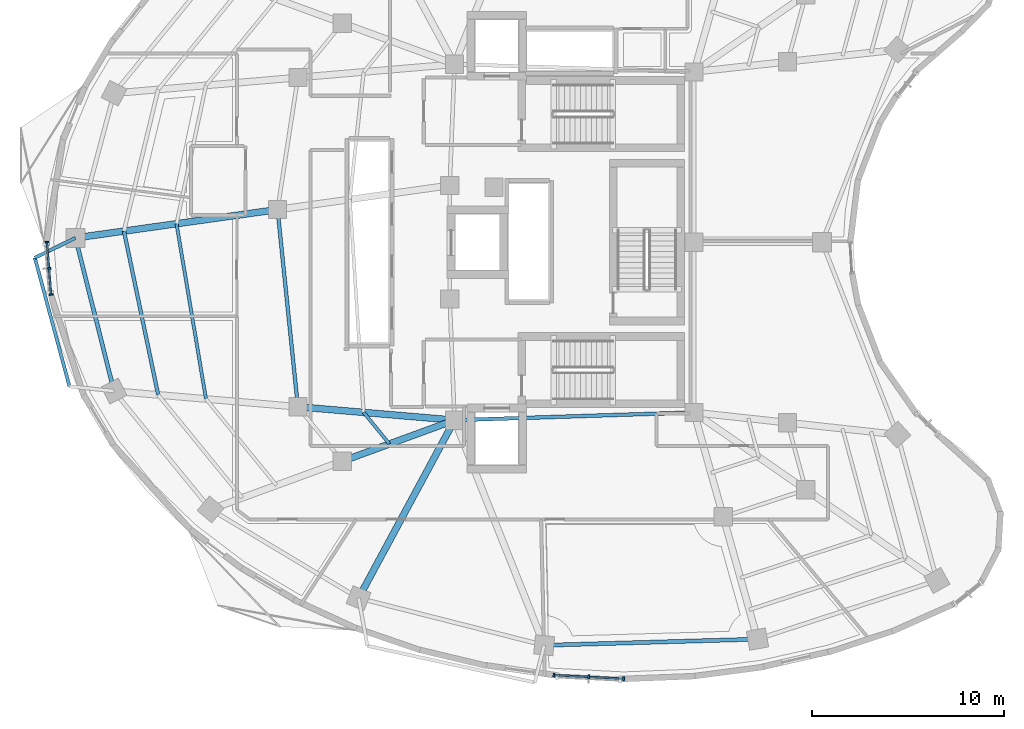
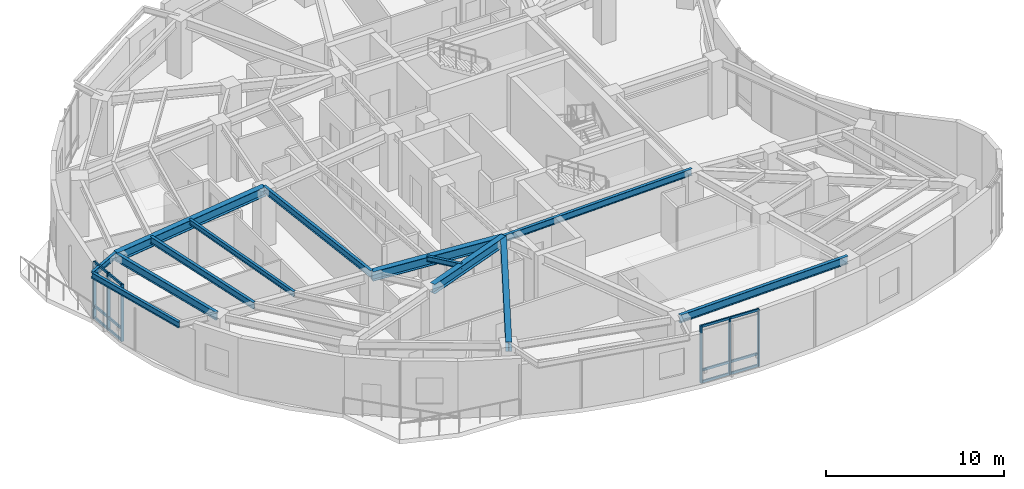
# One storey, part 2 of 15: 18 members, 13 beams, 2 elements without a shape of their own.
"""IFC4 building model written with IfcOpenShell, lengths in metres."""

from ifc_helpers import new_model, si_unit, direction, frame, origin, origin_2d, place, context, subcontext, project, spatial, rectangle, i_section, extrude, material, layer, layer_set, material_profile, profile_set, type_object, element, aggregate, save


model = new_model("IFC4")

# Units and contexts
model_context = context("Model", 3, precision=1e-05, world=origin(), true_north=direction((0.0, 1.0)))
body_context = subcontext(model_context, "Body", "Model", "MODEL_VIEW")
ifc_project = project(units=[si_unit("LENGTHUNIT", "METRE"), si_unit("AREAUNIT", "SQUARE_METRE"), si_unit("VOLUMEUNIT", "CUBIC_METRE"), si_unit("PLANEANGLEUNIT", "RADIAN"), si_unit("MASSUNIT", "GRAM", prefix="KILO")], contexts=[model_context])

# Site, building, storey
site_placement = place(None, origin())
site = spatial("IfcSite", under=ifc_project, at=site_placement, CompositionType="ELEMENT")
building_placement = place(site_placement, origin())
building = spatial("IfcBuilding", under=site, at=building_placement, Name="Korentha Bioscience Tower", CompositionType="ELEMENT")
storey_placement = place(building_placement, frame((0.0, 0.0, 222.60009765625)))
storey = spatial("IfcBuildingStorey", under=building, at=storey_placement, Name="L51", CompositionType="ELEMENT", Elevation=222.60009765625)

# Beams
ifc_material_1 = material(Name="Steel S355", Category="steel")
ifc_material_profile_1 = material_profile(ifc_material_1, i_section(OverallWidth=0.18994140625, OverallDepth=0.45703125, WebThickness=0.009033203125, FlangeThickness=0.014404296875, at=origin_2d()), Name="Steel S355")
ifc_profile_set_1 = profile_set([ifc_material_profile_1], Name="Steel S355 (MB-460)")
beam_type_1 = type_object("IfcBeamType", Name="Mid-Ring Tie Girder W460x74", PredefinedType="BEAM", material=ifc_profile_set_1)
beam_1_placement = place(storey_placement, frame((15.903076171875, 28.69482421875, 3.67138671875), z_axis=(0.102606546494, -0.994722019771, 0.0), x_axis=(0.994722019771, 0.102606546494, 0.0)))
element("IfcBeam", 1, at=beam_1_placement, inside=storey, type_object=beam_type_1, Name="L51 Mid-Ring Tie Girder 07", PredefinedType="BEAM", context=body_context, shape_type="SweptSolid", body=[
    extrude(i_section(OverallWidth=0.18994140625, OverallDepth=0.45703125, WebThickness=0.009033203125, FlangeThickness=0.014404296875, at=origin_2d()), origin(), (0.0, 0.0, 1.0), 10.30517578125),
])
beam_2_placement = place(storey_placement, frame((25.10009765625, 17.75, 3.67138671875), z_axis=(0.999484526071, 0.032104238723, 0.0), x_axis=(-0.032104238723, 0.999484526071, 0.0)))
element("IfcBeam", 2, at=beam_2_placement, inside=storey, type_object=beam_type_1, Name="L51 Core Ring Tie Girder 05", PredefinedType="BEAM", context=body_context, shape_type="SweptSolid", body=[
    extrude(i_section(OverallWidth=0.18994140625, OverallDepth=0.45703125, WebThickness=0.009033203125, FlangeThickness=0.014404296875, at=origin_2d()), origin(), (0.0, 0.0, 1.0), 12.456298828125),
])

# Curtain wall, members
ifc_material_2 = material(Name="Thermally Broken Aluminium Frame", Category="aluminium")
ifc_layer = layer(ifc_material_2, 0.219970703125, Name="Thermally Broken Aluminium Frame")
ifc_layer_set = layer_set([ifc_layer], Name="Thermally Broken Aluminium Frame (CW-T2)")
curtain_wall_type = type_object("IfcCurtainWallType", Name="Solar-Screened Lab Unitised Curtain Wall CW-T2", PredefinedType="USERDEFINED", material=ifc_layer_set)
curtain_wall_1_placement = place(storey_placement, origin())
curtain_wall_1 = element("IfcCurtainWall", 3, at=curtain_wall_1_placement, inside=storey, type_object=curtain_wall_type, Name="L51 Curtain Wall 19", ObjectType="UNITISED", PredefinedType="USERDEFINED")
ifc_material_3 = material(Name="Anodised Aluminium 6063-T6", Category="aluminium")
ifc_material_profile_2 = material_profile(ifc_material_3, rectangle(XDim=0.090087890625, YDim=0.199951171875, at=origin_2d()), Name="Anodised Aluminium 6063-T6")
ifc_profile_set_2 = profile_set([ifc_material_profile_2], Name="Anodised Aluminium 6063-T6 (CW-MUL)")
member_type_1 = type_object("IfcMemberType", Name="Mullion RECT 90x200", PredefinedType="MULLION", material=ifc_profile_set_2)
member_1_placement = place(storey_placement, frame((3.9169921875, 27.0078125, 0.0), z_axis=(0.0, 0.0, 1.0), x_axis=(0.07974803224, -0.996815053736, 0.0)))
member_1 = element("IfcMember", 4, at=member_1_placement, type_object=member_type_1, Name="CW-L51-19 Mullion 1", PredefinedType="MULLION", context=body_context, shape_type="SweptSolid", body=[
    extrude(rectangle(XDim=0.090087890625, YDim=0.199951171875, at=origin_2d()), origin(), (0.0, 0.0, 1.0), 3.89990234375),
])
member_2_placement = place(storey_placement, frame((4.026123046875, 25.642578125, 0.0), z_axis=(0.0, 0.0, 1.0), x_axis=(0.07974803224, -0.996815053736, 0.0)))
member_2 = element("IfcMember", 5, at=member_2_placement, type_object=member_type_1, Name="CW-L51-19 Mullion 2", PredefinedType="MULLION", context=body_context, shape_type="SweptSolid", body=[
    extrude(rectangle(XDim=0.090087890625, YDim=0.199951171875, at=origin_2d()), origin(), (0.0, 0.0, 1.0), 3.89990234375),
])
member_3_placement = place(storey_placement, frame((4.13525390625, 24.277587890625, 0.0), z_axis=(0.0, 0.0, 1.0), x_axis=(0.07974803224, -0.996815053736, 0.0)))
member_3 = element("IfcMember", 6, at=member_3_placement, type_object=member_type_1, Name="CW-L51-19 Mullion 3", PredefinedType="MULLION", context=body_context, shape_type="SweptSolid", body=[
    extrude(rectangle(XDim=0.090087890625, YDim=0.199951171875, at=origin_2d()), origin(), (0.0, 0.0, 1.0), 3.89990234375),
])

curtain_wall_2_placement = place(storey_placement, origin())
curtain_wall_2 = element("IfcCurtainWall", 7, at=curtain_wall_2_placement, inside=storey, type_object=curtain_wall_type, Name="L51 Curtain Wall 31", ObjectType="UNITISED", PredefinedType="USERDEFINED")
member_4_placement = place(storey_placement, frame((30.262939453125, 4.501708984375, 0.0), z_axis=(0.0, 0.0, 1.0), x_axis=(0.998695818107, -0.051055488397, 0.0)))
member_4 = element("IfcMember", 8, at=member_4_placement, type_object=member_type_1, Name="CW-L51-31 Mullion 1", PredefinedType="MULLION", context=body_context, shape_type="SweptSolid", body=[
    extrude(rectangle(XDim=0.090087890625, YDim=0.199951171875, at=origin_2d()), origin(), (0.0, 0.0, 1.0), 3.89990234375),
])
member_5_placement = place(storey_placement, frame((32.078125, 4.40869140625, 0.0), z_axis=(0.0, 0.0, 1.0), x_axis=(0.998695818107, -0.051055488397, 0.0)))
member_5 = element("IfcMember", 9, at=member_5_placement, type_object=member_type_1, Name="CW-L51-31 Mullion 2", PredefinedType="MULLION", context=body_context, shape_type="SweptSolid", body=[
    extrude(rectangle(XDim=0.090087890625, YDim=0.199951171875, at=origin_2d()), origin(), (0.0, 0.0, 1.0), 3.89990234375),
])
member_6_placement = place(storey_placement, frame((33.8935546875, 4.31591796875, 0.0), z_axis=(0.0, 0.0, 1.0), x_axis=(0.998695818107, -0.051055488397, 0.0)))
member_6 = element("IfcMember", 10, at=member_6_placement, type_object=member_type_1, Name="CW-L51-31 Mullion 3", PredefinedType="MULLION", context=body_context, shape_type="SweptSolid", body=[
    extrude(rectangle(XDim=0.090087890625, YDim=0.199951171875, at=origin_2d()), origin(), (0.0, 0.0, 1.0), 3.89990234375),
])

# Beams
ifc_material_profile_3 = material_profile(ifc_material_1, i_section(OverallWidth=0.208984375, OverallDepth=0.532958984375, WebThickness=0.01025390625, FlangeThickness=0.015625, at=origin_2d()), Name="Steel S355")
ifc_profile_set_3 = profile_set([ifc_material_profile_3], Name="Steel S355 (SB-530)")
beam_type_2 = type_object("IfcBeamType", Name="Perimeter Ring Spandrel Girder W530x92", PredefinedType="SPANDREL", material=ifc_profile_set_3)
beam_3_placement = place(storey_placement, frame((5.39990234375, 27.2216796875, 3.63330078125), z_axis=(0.244207174084, -0.969723082187, 0.0), x_axis=(0.969723082187, 0.244207174084, 0.0)))
element("IfcBeam", 11, at=beam_3_placement, inside=storey, type_object=beam_type_2, Name="L51 Perimeter Spandrel Girder 07", PredefinedType="SPANDREL", context=body_context, shape_type="SweptSolid", body=[
    extrude(i_section(OverallWidth=0.208984375, OverallDepth=0.532958984375, WebThickness=0.01025390625, FlangeThickness=0.015625, at=origin_2d()), origin(), (0.0, 0.0, 1.0), 8.211669921875),
])
beam_4_placement = place(storey_placement, frame((29.75927734375, 6.048828125, 3.63330078125), z_axis=(0.999586140554, 0.028767127286, 0.0), x_axis=(-0.028767127286, 0.999586140554, 0.0)))
element("IfcBeam", 12, at=beam_4_placement, inside=storey, type_object=beam_type_2, Name="L51 Perimeter Spandrel Girder 11", PredefinedType="SPANDREL", context=body_context, shape_type="SweptSolid", body=[
    extrude(i_section(OverallWidth=0.208984375, OverallDepth=0.532958984375, WebThickness=0.01025390625, FlangeThickness=0.015625, at=origin_2d()), origin(), (0.0, 0.0, 1.0), 11.09228515625),
])
ifc_material_profile_4 = material_profile(ifc_material_1, i_section(OverallWidth=0.18994140625, OverallDepth=0.45703125, WebThickness=0.009033203125, FlangeThickness=0.014404296875, at=origin_2d()), Name="Steel S355")
ifc_profile_set_4 = profile_set([ifc_material_profile_4], Name="Steel S355 (RB-460)")
beam_type_3 = type_object("IfcBeamType", Name="Radial Laboratory Beam W460x74", PredefinedType="BEAM", material=ifc_profile_set_4)
beam_5_placement = place(storey_placement, frame((7.920654296875, 27.5751953125, 3.67138671875), z_axis=(0.204445291573, -0.978877991761, 0.0), x_axis=(0.978877991761, 0.204445291573, 0.0)))
element("IfcBeam", 13, at=beam_5_placement, inside=storey, type_object=beam_type_3, Name="L51 Secondary Floor Beam JSTO-07", PredefinedType="BEAM", context=body_context, shape_type="SweptSolid", body=[
    extrude(i_section(OverallWidth=0.18994140625, OverallDepth=0.45703125, WebThickness=0.009033203125, FlangeThickness=0.014404296875, at=origin_2d()), origin(), (0.0, 0.0, 1.0), 8.69580078125),
])
ifc_material_profile_5 = material_profile(ifc_material_1, i_section(OverallWidth=0.35009765625, OverallDepth=0.64990234375, WebThickness=0.01611328125, FlangeThickness=0.02490234375, at=origin_2d()), Name="Steel S355")
ifc_profile_set_5 = profile_set([ifc_material_profile_5], Name="Steel S355 (RB-650)")
beam_type_4 = type_object("IfcBeamType", Name="Radial Laboratory Girder CVS 650x208", PredefinedType="BEAM", material=ifc_profile_set_5)
beam_6_placement = place(storey_placement, frame((15.903076171875, 28.69482421875, 3.574951171875), z_axis=(-0.990306757518, -0.138897537827, 0.0), x_axis=(0.138897537827, -0.990306757518, 0.0)))
element("IfcBeam", 14, at=beam_6_placement, inside=storey, type_object=beam_type_4, Name="L51 Outer Radial Girder 07", PredefinedType="BEAM", context=body_context, shape_type="SweptSolid", body=[
    extrude(i_section(OverallWidth=0.35009765625, OverallDepth=0.64990234375, WebThickness=0.01611328125, FlangeThickness=0.02490234375, at=origin_2d()), origin(), (0.0, 0.0, 1.0), 10.60595703125),
])
beam_7_placement = place(storey_placement, frame((25.10009765625, 17.75, 3.574951171875), z_axis=(-0.996383970884, 0.084964595957, 0.0), x_axis=(-0.084964595957, -0.996383970884, 0.0)))
element("IfcBeam", 15, at=beam_7_placement, inside=storey, type_object=beam_type_4, Name="L51 Inner Radial Girder 08", PredefinedType="BEAM", context=body_context, shape_type="SweptSolid", body=[
    extrude(i_section(OverallWidth=0.35009765625, OverallDepth=0.64990234375, WebThickness=0.01611328125, FlangeThickness=0.02490234375, at=origin_2d()), origin(), (0.0, 0.0, 1.0), 8.169189453125),
])
beam_8_placement = place(storey_placement, frame((25.10009765625, 17.75, 3.574951171875), z_axis=(-0.939112022558, -0.343611130622, 0.0), x_axis=(0.343611130622, -0.939112022558, 0.0)))
element("IfcBeam", 16, at=beam_8_placement, inside=storey, type_object=beam_type_4, Name="L51 Inner Radial Girder 09", PredefinedType="BEAM", context=body_context, shape_type="SweptSolid", body=[
    extrude(i_section(OverallWidth=0.35009765625, OverallDepth=0.64990234375, WebThickness=0.01611328125, FlangeThickness=0.02490234375, at=origin_2d()), origin(), (0.0, 0.0, 1.0), 6.2099609375),
])
beam_9_placement = place(storey_placement, frame((25.10009765625, 17.75, 3.574951171875), z_axis=(-0.474545867703, -0.880230776243, 0.0), x_axis=(0.880230776243, -0.474545867703, 0.0)))
element("IfcBeam", 17, at=beam_9_placement, inside=storey, type_object=beam_type_4, Name="L51 Radial Girder 10", PredefinedType="BEAM", context=body_context, shape_type="SweptSolid", body=[
    extrude(i_section(OverallWidth=0.35009765625, OverallDepth=0.64990234375, WebThickness=0.01611328125, FlangeThickness=0.02490234375, at=origin_2d()), origin(), (0.0, 0.0, 1.0), 10.508544921875),
])
ifc_material_profile_6 = material_profile(ifc_material_1, i_section(OverallWidth=0.1708984375, OverallDepth=0.35498046875, WebThickness=0.007080078125, FlangeThickness=0.01171875, at=origin_2d()), Name="Steel S355")
ifc_profile_set_6 = profile_set([ifc_material_profile_6], Name="Steel S355 (JB-360)")
beam_type_5 = type_object("IfcBeamType", Name="Secondary Laboratory Joist W360x51", PredefinedType="JOIST", material=ifc_profile_set_6)
beam_10_placement = place(storey_placement, frame((10.651611328125, 27.958251953125, 3.722412109375), z_axis=(0.165813560916, -0.986157118829, 0.0), x_axis=(0.986157118829, 0.165813560916, 0.0)))
element("IfcBeam", 18, at=beam_10_placement, inside=storey, type_object=beam_type_5, Name="L51 Secondary Floor Beam JST-07", PredefinedType="JOIST", context=body_context, shape_type="SweptSolid", body=[
    extrude(i_section(OverallWidth=0.1708984375, OverallDepth=0.35498046875, WebThickness=0.007080078125, FlangeThickness=0.01171875, at=origin_2d()), origin(), (0.0, 0.0, 1.0), 9.23486328125),
])
beam_11_placement = place(storey_placement, frame((20.37890625, 18.152587890625, 3.722412109375), z_axis=(0.632370841021, -0.774665811448, 0.0), x_axis=(0.774665811448, 0.632370841021, 0.0)))
element("IfcBeam", 19, at=beam_11_placement, inside=storey, type_object=beam_type_5, Name="L51 Inner Bay Joist 08", PredefinedType="JOIST", context=body_context, shape_type="SweptSolid", body=[
    extrude(i_section(OverallWidth=0.1708984375, OverallDepth=0.35498046875, WebThickness=0.007080078125, FlangeThickness=0.01171875, at=origin_2d()), origin(), (0.0, 0.0, 1.0), 2.1171875),
])
ifc_material_profile_7 = material_profile(ifc_material_1, i_section(OverallWidth=0.177978515625, OverallDepth=0.406982421875, WebThickness=0.0078125, FlangeThickness=0.0126953125, at=origin_2d()), Name="Steel S355")
ifc_profile_set_7 = profile_set([ifc_material_profile_7], Name="Steel S355 (CB-410)")
beam_type_6 = type_object("IfcBeamType", Name="Sun-Ledge Cantilever Beam W410x60", PredefinedType="BEAM", material=ifc_profile_set_7)
beam_12_placement = place(storey_placement, frame((5.39990234375, 27.2216796875, 3.698486328125), z_axis=(-0.89811546582, -0.439759718545, 0.0), x_axis=(0.439759718545, -0.89811546582, 0.0)))
element("IfcBeam", 20, at=beam_12_placement, inside=storey, type_object=beam_type_6, Name="L51 Balcony Cantilever Bracket A-L52-02", PredefinedType="BEAM", context=body_context, shape_type="SweptSolid", body=[
    extrude(i_section(OverallWidth=0.177978515625, OverallDepth=0.406982421875, WebThickness=0.0078125, FlangeThickness=0.0126953125, at=origin_2d()), origin(), (0.0, 0.0, 1.0), 2.35009765625),
])
beam_13_placement = place(storey_placement, frame((3.289306640625, 26.188232421875, 3.698486328125), z_axis=(0.260097485431, -0.965582362138, 0.0), x_axis=(0.965582362138, 0.260097485431, 0.0)))
element("IfcBeam", 21, at=beam_13_placement, inside=storey, type_object=beam_type_6, Name="L51 Balcony Edge Trimmer Beam L52-02", PredefinedType="BEAM", context=body_context, shape_type="SweptSolid", body=[
    extrude(i_section(OverallWidth=0.177978515625, OverallDepth=0.406982421875, WebThickness=0.0078125, FlangeThickness=0.0126953125, at=origin_2d()), origin(), (0.0, 0.0, 1.0), 6.918701171875),
])

# Member
ifc_material_profile_8 = material_profile(ifc_material_3, rectangle(XDim=0.090087890625, YDim=0.159912109375, at=origin_2d()), Name="Anodised Aluminium 6063-T6")
ifc_profile_set_8 = profile_set([ifc_material_profile_8], Name="Anodised Aluminium 6063-T6 (CW-TRN)")
member_type_2 = type_object("IfcMemberType", Name="Transom RECT 90x160", PredefinedType="USERDEFINED", material=ifc_profile_set_8)
member_7_placement = place(storey_placement, frame((3.92041015625, 26.962890625, 0.044921875), z_axis=(0.079760390344, -0.996814064975, 0.0), x_axis=(0.996814064975, 0.079760390344, 0.0)))
member_7 = element("IfcMember", 22, at=member_7_placement, type_object=member_type_2, Name="CW-L51-19 Bay 1 Transom 1", ObjectType="TRANSOM", PredefinedType="USERDEFINED", context=body_context, shape_type="SweptSolid", body=[
    extrude(rectangle(XDim=0.090087890625, YDim=0.159912109375, at=origin_2d()), origin(), (0.0, 0.0, 1.0), 1.279541015625),
])

member_8_placement = place(storey_placement, frame((3.92041015625, 26.962890625, 0.849853515625), z_axis=(0.079760390344, -0.996814064975, 0.0), x_axis=(0.996814064975, 0.079760390344, 0.0)))
member_8 = element("IfcMember", 23, at=member_8_placement, type_object=member_type_2, Name="CW-L51-19 Bay 1 Transom 2", ObjectType="TRANSOM", PredefinedType="USERDEFINED", context=body_context, shape_type="SweptSolid", body=[
    extrude(rectangle(XDim=0.090087890625, YDim=0.159912109375, at=origin_2d()), origin(), (0.0, 0.0, 1.0), 1.279541015625),
])

member_9_placement = place(storey_placement, frame((3.92041015625, 26.962890625, 3.85498046875), z_axis=(0.079760390344, -0.996814064975, 0.0), x_axis=(0.996814064975, 0.079760390344, 0.0)))
member_9 = element("IfcMember", 24, at=member_9_placement, type_object=member_type_2, Name="CW-L51-19 Bay 1 Transom 3", ObjectType="TRANSOM", PredefinedType="USERDEFINED", context=body_context, shape_type="SweptSolid", body=[
    extrude(rectangle(XDim=0.090087890625, YDim=0.159912109375, at=origin_2d()), origin(), (0.0, 0.0, 1.0), 1.279541015625),
])

member_10_placement = place(storey_placement, frame((4.02978515625, 25.597900390625, 0.044921875), z_axis=(0.079570785596, -0.996829218111, 0.0), x_axis=(0.996829218111, 0.079570785596, 0.0)))
member_10 = element("IfcMember", 25, at=member_10_placement, type_object=member_type_2, Name="CW-L51-19 Bay 2 Transom 1", ObjectType="TRANSOM", PredefinedType="USERDEFINED", context=body_context, shape_type="SweptSolid", body=[
    extrude(rectangle(XDim=0.090087890625, YDim=0.159912109375, at=origin_2d()), origin(), (0.0, 0.0, 1.0), 1.279541015625),
])

member_11_placement = place(storey_placement, frame((4.02978515625, 25.597900390625, 0.849853515625), z_axis=(0.079570785596, -0.996829218111, 0.0), x_axis=(0.996829218111, 0.079570785596, 0.0)))
member_11 = element("IfcMember", 26, at=member_11_placement, type_object=member_type_2, Name="CW-L51-19 Bay 2 Transom 2", ObjectType="TRANSOM", PredefinedType="USERDEFINED", context=body_context, shape_type="SweptSolid", body=[
    extrude(rectangle(XDim=0.090087890625, YDim=0.159912109375, at=origin_2d()), origin(), (0.0, 0.0, 1.0), 1.279541015625),
])

member_12_placement = place(storey_placement, frame((4.02978515625, 25.597900390625, 3.85498046875), z_axis=(0.079570785596, -0.996829218111, 0.0), x_axis=(0.996829218111, 0.079570785596, 0.0)))
member_12 = element("IfcMember", 27, at=member_12_placement, type_object=member_type_2, Name="CW-L51-19 Bay 2 Transom 3", ObjectType="TRANSOM", PredefinedType="USERDEFINED", context=body_context, shape_type="SweptSolid", body=[
    extrude(rectangle(XDim=0.090087890625, YDim=0.159912109375, at=origin_2d()), origin(), (0.0, 0.0, 1.0), 1.279541015625),
])

aggregate(curtain_wall_1, [member_1, member_2, member_3, member_7, member_8, member_9, member_10, member_11, member_12])

member_13_placement = place(storey_placement, frame((30.307861328125, 4.499267578125, 0.044921875), z_axis=(0.998697837161, -0.051015978381, 0.0), x_axis=(0.051015978381, 0.998697837161, 0.0)))
member_13 = element("IfcMember", 28, at=member_13_placement, type_object=member_type_2, Name="CW-L51-31 Bay 1 Transom 1", ObjectType="TRANSOM", PredefinedType="USERDEFINED", context=body_context, shape_type="SweptSolid", body=[
    extrude(rectangle(XDim=0.090087890625, YDim=0.159912109375, at=origin_2d()), origin(), (0.0, 0.0, 1.0), 1.7275390625),
])

member_14_placement = place(storey_placement, frame((30.307861328125, 4.499267578125, 0.849853515625), z_axis=(0.998697837161, -0.051015978381, 0.0), x_axis=(0.051015978381, 0.998697837161, 0.0)))
member_14 = element("IfcMember", 29, at=member_14_placement, type_object=member_type_2, Name="CW-L51-31 Bay 1 Transom 2", ObjectType="TRANSOM", PredefinedType="USERDEFINED", context=body_context, shape_type="SweptSolid", body=[
    extrude(rectangle(XDim=0.090087890625, YDim=0.159912109375, at=origin_2d()), origin(), (0.0, 0.0, 1.0), 1.7275390625),
])

member_15_placement = place(storey_placement, frame((30.307861328125, 4.499267578125, 3.85498046875), z_axis=(0.998697837161, -0.051015978381, 0.0), x_axis=(0.051015978381, 0.998697837161, 0.0)))
member_15 = element("IfcMember", 30, at=member_15_placement, type_object=member_type_2, Name="CW-L51-31 Bay 1 Transom 3", ObjectType="TRANSOM", PredefinedType="USERDEFINED", context=body_context, shape_type="SweptSolid", body=[
    extrude(rectangle(XDim=0.090087890625, YDim=0.159912109375, at=origin_2d()), origin(), (0.0, 0.0, 1.0), 1.7275390625),
])

member_16_placement = place(storey_placement, frame((32.123291015625, 4.406494140625, 0.044921875), z_axis=(0.998697837161, -0.051015978381, 0.0), x_axis=(0.051015978381, 0.998697837161, 0.0)))
member_16 = element("IfcMember", 31, at=member_16_placement, type_object=member_type_2, Name="CW-L51-31 Bay 2 Transom 1", ObjectType="TRANSOM", PredefinedType="USERDEFINED", context=body_context, shape_type="SweptSolid", body=[
    extrude(rectangle(XDim=0.090087890625, YDim=0.159912109375, at=origin_2d()), origin(), (0.0, 0.0, 1.0), 1.7275390625),
])

member_17_placement = place(storey_placement, frame((32.123291015625, 4.406494140625, 0.849853515625), z_axis=(0.998697837161, -0.051015978381, 0.0), x_axis=(0.051015978381, 0.998697837161, 0.0)))
member_17 = element("IfcMember", 32, at=member_17_placement, type_object=member_type_2, Name="CW-L51-31 Bay 2 Transom 2", ObjectType="TRANSOM", PredefinedType="USERDEFINED", context=body_context, shape_type="SweptSolid", body=[
    extrude(rectangle(XDim=0.090087890625, YDim=0.159912109375, at=origin_2d()), origin(), (0.0, 0.0, 1.0), 1.7275390625),
])

member_18_placement = place(storey_placement, frame((32.123291015625, 4.406494140625, 3.85498046875), z_axis=(0.998697837161, -0.051015978381, 0.0), x_axis=(0.051015978381, 0.998697837161, 0.0)))
member_18 = element("IfcMember", 33, at=member_18_placement, type_object=member_type_2, Name="CW-L51-31 Bay 2 Transom 3", ObjectType="TRANSOM", PredefinedType="USERDEFINED", context=body_context, shape_type="SweptSolid", body=[
    extrude(rectangle(XDim=0.090087890625, YDim=0.159912109375, at=origin_2d()), origin(), (0.0, 0.0, 1.0), 1.7275390625),
])

aggregate(curtain_wall_2, [member_4, member_5, member_6, member_13, member_14, member_15, member_16, member_17, member_18])

save(model, "model.ifc")
